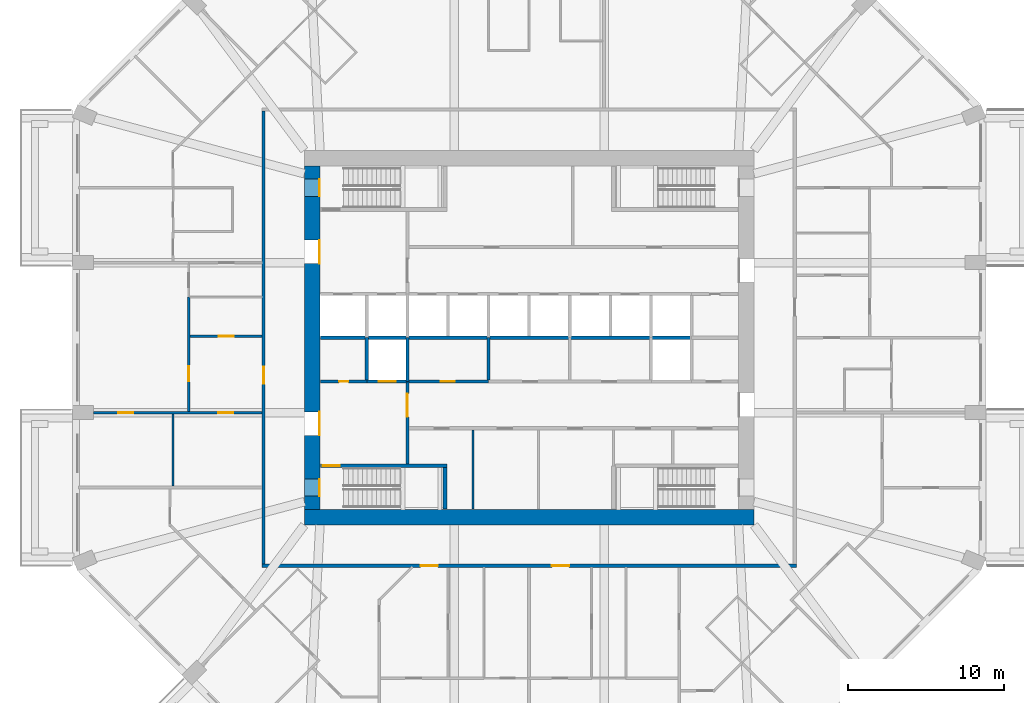
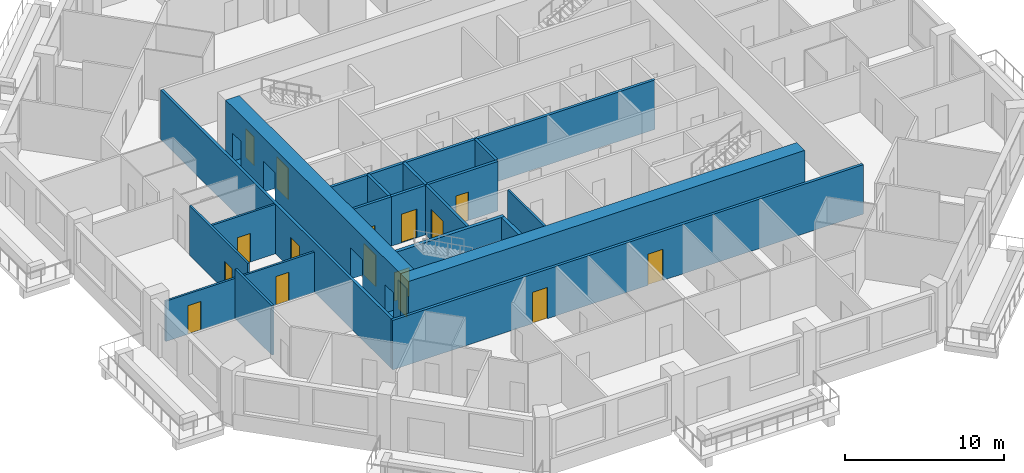
# One storey, part 4 of 13: 19 walls, 16 doors, 16 openings.
"""IFC4 building model written with IfcOpenShell, lengths in metres."""

from ifc_helpers import new_model, si_unit, direction, frame, frame_2d, origin, place, context, subcontext, project, spatial, rectangle, extrude, material, layer, layer_set, type_object, element, fill, save


model = new_model("IFC4")

# Units and contexts
model_context = context("Model", 3, precision=1e-05, world=origin(), true_north=direction((0.0, 1.0)))
body_context = subcontext(model_context, "Body", "Model", "MODEL_VIEW")
ifc_project = project(units=[si_unit("LENGTHUNIT", "METRE"), si_unit("AREAUNIT", "SQUARE_METRE"), si_unit("VOLUMEUNIT", "CUBIC_METRE"), si_unit("PLANEANGLEUNIT", "RADIAN"), si_unit("MASSUNIT", "GRAM", prefix="KILO")], contexts=[model_context])

# Site, building, storey
site_placement = place(None, origin())
site = spatial("IfcSite", under=ifc_project, at=site_placement, CompositionType="ELEMENT")
building_placement = place(site_placement, origin())
building = spatial("IfcBuilding", under=site, at=building_placement, Name="Msitu Wima Residences", CompositionType="ELEMENT")
storey_placement = place(building_placement, frame((0.0, 0.0, 96.89990234375)))
storey = spatial("IfcBuildingStorey", under=building, at=storey_placement, Name="L22", CompositionType="ELEMENT", Elevation=96.89990234375)

# Wall
ifc_material_1 = material(Name="Concrete C80/95", Category="concrete")
ifc_layer_1 = layer(ifc_material_1, 1.0)
ifc_layer_set_1 = layer_set([ifc_layer_1], Name="Concrete C80/95")
wall_type_1 = type_object("IfcWallType", Name="Core wall CW1000 C80/95", PredefinedType="SHEAR", material=ifc_layer_set_1)
wall_1_placement = place(storey_placement, frame((-14.39990234375, -11.5, 0.0), z_axis=(0.0, 0.0, 1.0), x_axis=(1.0, 0.0, 0.0)))
element("IfcWall", 1, at=wall_1_placement, inside=storey, type_object=wall_type_1, Name="Core wall", PredefinedType="SHEAR", context=body_context, shape_type="SweptSolid", body=[
    extrude(rectangle(XDim=28.7998046875, YDim=1.0, at=frame_2d((14.39990234375, 0.0))), origin(), (0.0, 0.0, 1.0), 4.2001953125),
])

# Wall, openings, doors
wall_2_placement = place(storey_placement, frame((-13.89990234375, -11.0, 0.0), z_axis=(0.0, 0.0, 1.0), x_axis=(0.0, 1.0, 0.0)))
wall_2 = element("IfcWall", 2, at=wall_2_placement, inside=storey, type_object=wall_type_1, Name="Core wall", PredefinedType="SHEAR", context=body_context, shape_type="SweptSolid", body=[
    extrude(rectangle(XDim=22.0, YDim=1.0, at=frame_2d((11.0, 0.0))), origin(), (0.0, 0.0, 1.0), 4.2001953125),
])
opening_1_placement = place(wall_2_placement, frame((20.050048828125, 0.0, 0.0)))
opening_1 = element("IfcOpeningElement", 3, at=opening_1_placement, cuts=wall_2, Name="Opening D22.034", PredefinedType="OPENING", context=body_context, shape_type="SweptSolid", body=[
    extrude(rectangle(XDim=1.10009765625, YDim=2.199951171875, at=frame_2d((0.550048828125, 1.10009765625))), frame((0.0, 0.510009765625, 0.0), z_axis=(0.0, -1.0, 0.0), x_axis=(1.0, 0.0, 0.0)), (0.0, 0.0, 1.0), 1.02001953125),
])
opening_2_placement = place(wall_2_placement, frame((0.85009765625, 0.0, 0.0)))
opening_2 = element("IfcOpeningElement", 4, at=opening_2_placement, cuts=wall_2, Name="Opening D22.036", PredefinedType="OPENING", context=body_context, shape_type="SweptSolid", body=[
    extrude(rectangle(XDim=1.10009765625, YDim=2.199951171875, at=frame_2d((0.550048828125, 1.10009765625))), frame((0.0, 0.510009765625, 0.0), z_axis=(0.0, -1.0, 0.0), x_axis=(1.0, 0.0, 0.0)), (0.0, 0.0, 1.0), 1.02001953125),
])
opening_3_placement = place(wall_2_placement, frame((15.75, 0.0, 0.0)))
opening_3 = element("IfcOpeningElement", 5, at=opening_3_placement, cuts=wall_2, Name="Opening D22.016", PredefinedType="OPENING", context=body_context, shape_type="SweptSolid", body=[
    extrude(rectangle(XDim=1.5, YDim=2.39990234375, at=frame_2d((0.75, 1.199951171875))), frame((0.0, 0.510009765625, 0.0), z_axis=(0.0, -1.0, 0.0), x_axis=(1.0, 0.0, 0.0)), (0.0, 0.0, 1.0), 1.02001953125),
])
opening_4_placement = place(wall_2_placement, frame((4.75, 0.0, 0.0)))
opening_4 = element("IfcOpeningElement", 6, at=opening_4_placement, cuts=wall_2, Name="Opening D22.018", PredefinedType="OPENING", context=body_context, shape_type="SweptSolid", body=[
    extrude(rectangle(XDim=1.5, YDim=2.39990234375, at=frame_2d((0.75, 1.199951171875))), frame((0.0, 0.510009765625, 0.0), z_axis=(0.0, -1.0, 0.0), x_axis=(1.0, 0.0, 0.0)), (0.0, 0.0, 1.0), 1.02001953125),
])
ifc_material_2 = material(Name="Steel framed glazed door, fire resisting", Category="steel")
door_type_1 = type_object("IfcDoorType", Name="Lobby door D07 1500x2400", OperationType="DOUBLE_DOOR_SINGLE_SWING", PredefinedType="DOOR", material=ifc_material_2)
door_1_placement = place(opening_3_placement, origin())
door_1 = element("IfcDoor", 7, at=door_1_placement, inside=storey, type_object=door_type_1, Name="Lobby door", OperationType="DOUBLE_DOOR_SINGLE_SWING", OverallHeight=2.39990234375, OverallWidth=1.5, PredefinedType="DOOR", context=body_context, shape_type="SweptSolid", body=[
    extrude(rectangle(XDim=1.5, YDim=2.39990234375, at=frame_2d((0.75, 1.199951171875))), frame((0.0, -0.44482421875, 0.0), z_axis=(0.0, -1.0, 0.0), x_axis=(1.0, 0.0, 0.0)), (0.0, 0.0, 1.0), 0.050048828125),
])
fill(opening_3, door_1)
door_2_placement = place(opening_4_placement, origin())
door_2 = element("IfcDoor", 8, at=door_2_placement, inside=storey, type_object=door_type_1, Name="Lobby door", OperationType="DOUBLE_DOOR_SINGLE_SWING", OverallHeight=2.39990234375, OverallWidth=1.5, PredefinedType="DOOR", context=body_context, shape_type="SweptSolid", body=[
    extrude(rectangle(XDim=1.5, YDim=2.39990234375, at=frame_2d((0.75, 1.199951171875))), frame((0.0, -0.44482421875, 0.0), z_axis=(0.0, -1.0, 0.0), x_axis=(1.0, 0.0, 0.0)), (0.0, 0.0, 1.0), 0.050048828125),
])
fill(opening_4, door_2)
ifc_material_3 = material(Name="Steel door, fire resisting, panic bar", Category="steel")
door_type_2 = type_object("IfcDoorType", Name="Stair door D06 1100x2200", OperationType="SINGLE_SWING_LEFT", PredefinedType="DOOR", material=ifc_material_3)
door_3_placement = place(opening_1_placement, origin())
door_3 = element("IfcDoor", 9, at=door_3_placement, inside=storey, type_object=door_type_2, Name="Stair door", OperationType="SINGLE_SWING_RIGHT", OverallHeight=2.199951171875, OverallWidth=1.10009765625, PredefinedType="DOOR", context=body_context, shape_type="SweptSolid", body=[
    extrude(rectangle(XDim=1.10009765625, YDim=2.199951171875, at=frame_2d((0.550048828125, 1.10009765625))), frame((0.0, -0.44482421875, 0.0), z_axis=(0.0, -1.0, 0.0), x_axis=(1.0, 0.0, 0.0)), (0.0, 0.0, 1.0), 0.050048828125),
])
fill(opening_1, door_3)
door_4_placement = place(opening_2_placement, origin())
door_4 = element("IfcDoor", 10, at=door_4_placement, inside=storey, type_object=door_type_2, Name="Stair door", OperationType="SINGLE_SWING_LEFT", OverallHeight=2.199951171875, OverallWidth=1.10009765625, PredefinedType="DOOR", context=body_context, shape_type="SweptSolid", body=[
    extrude(rectangle(XDim=1.10009765625, YDim=2.199951171875, at=frame_2d((0.550048828125, 1.10009765625))), frame((0.0, -0.44482421875, 0.0), z_axis=(0.0, -1.0, 0.0), x_axis=(1.0, 0.0, 0.0)), (0.0, 0.0, 1.0), 0.050048828125),
])
fill(opening_2, door_4)

# Wall, opening, door
ifc_material_4 = material(Name="Plaster")
ifc_layer_2 = layer(ifc_material_4, 0.011962890625, Name="Plaster")
ifc_material_5 = material(Name="Concrete blockwork", Category="masonry")
ifc_layer_3 = layer(ifc_material_5, 0.176025390625, Name="Concrete blockwork")
ifc_layer_4 = layer(ifc_material_4, 0.011962890625, Name="Plaster")
ifc_layer_set_2 = layer_set([ifc_layer_2, ifc_layer_3, ifc_layer_4], Name="Concrete blockwork")
wall_type_2 = type_object("IfcWallType", Name="Corridor wall FW200", PredefinedType="PARTITIONING", material=ifc_layer_set_2)
wall_3_placement = place(storey_placement, frame((-17.0, -14.5, 0.0), z_axis=(0.0, 0.0, 1.0), x_axis=(0.0, 1.0, 0.0)))
wall_3 = element("IfcWall", 11, at=wall_3_placement, inside=storey, type_object=wall_type_2, Name="Corridor wall", PredefinedType="PARTITIONING", context=body_context, shape_type="SweptSolid", body=[
    extrude(rectangle(XDim=29.0, YDim=0.199951171875, at=frame_2d((14.5, 0.0))), origin(), (0.0, 0.0, 1.0), 3.798095703125),
])
opening_5_placement = place(wall_3_placement, frame((11.550048828125, 0.0, 0.0)))
opening_5 = element("IfcOpeningElement", 12, at=opening_5_placement, cuts=wall_3, Name="Opening D22.012", PredefinedType="OPENING", context=body_context, shape_type="SweptSolid", body=[
    extrude(rectangle(XDim=1.10009765625, YDim=2.39990234375, at=frame_2d((0.550048828125, 1.199951171875))), frame((0.0, 0.10986328125, 0.0), z_axis=(0.0, -1.0, 0.0), x_axis=(1.0, 0.0, 0.0)), (0.0, 0.0, 1.0), 0.219970703125),
])
ifc_material_6 = material(Name="Timber flush door, fire resisting, self-closing", Category="wood")
door_type_3 = type_object("IfcDoorType", Name="Flat entrance door D01 1100x2400", OperationType="SINGLE_SWING_LEFT", PredefinedType="DOOR", material=ifc_material_6)
door_5_placement = place(opening_5_placement, origin())
door_5 = element("IfcDoor", 13, at=door_5_placement, inside=storey, type_object=door_type_3, Name="Flat entrance door", OperationType="SINGLE_SWING_LEFT", OverallHeight=2.39990234375, OverallWidth=1.10009765625, PredefinedType="DOOR", context=body_context, shape_type="SweptSolid", body=[
    extrude(rectangle(XDim=1.10009765625, YDim=2.39990234375, at=frame_2d((0.550048828125, 1.199951171875))), frame((0.0, 0.02490234375, 0.0), z_axis=(0.0, -1.0, 0.0), x_axis=(1.0, 0.0, 0.0)), (0.0, 0.0, 1.0), 0.050048828125),
])
fill(opening_5, door_5)

# Wall, openings, doors
wall_4_placement = place(storey_placement, frame((-17.10009765625, -14.60009765625, 0.0), z_axis=(0.0, 0.0, 1.0), x_axis=(1.0, 0.0, 0.0)))
wall_4 = element("IfcWall", 14, at=wall_4_placement, inside=storey, type_object=wall_type_2, Name="Corridor wall", PredefinedType="PARTITIONING", context=body_context, shape_type="SweptSolid", body=[
    extrude(rectangle(XDim=34.2001953125, YDim=0.199951171875, at=frame_2d((17.10009765625, 0.0))), origin(), (0.0, 0.0, 1.0), 3.798095703125),
])
opening_6_placement = place(wall_4_placement, frame((10.14990234375, 0.0, 0.0)))
opening_6 = element("IfcOpeningElement", 15, at=opening_6_placement, cuts=wall_4, Name="Opening D22.013", PredefinedType="OPENING", context=body_context, shape_type="SweptSolid", body=[
    extrude(rectangle(XDim=1.10009765625, YDim=2.39990234375, at=frame_2d((0.550048828125, 1.199951171875))), frame((0.0, 0.10986328125, 0.0), z_axis=(0.0, -1.0, 0.0), x_axis=(1.0, 0.0, 0.0)), (0.0, 0.0, 1.0), 0.219970703125),
])
opening_7_placement = place(wall_4_placement, frame((18.550048828125, 0.0, 0.0)))
opening_7 = element("IfcOpeningElement", 16, at=opening_7_placement, cuts=wall_4, Name="Opening D22.014", PredefinedType="OPENING", context=body_context, shape_type="SweptSolid", body=[
    extrude(rectangle(XDim=1.10009765625, YDim=2.39990234375, at=frame_2d((0.550048828125, 1.199951171875))), frame((0.0, 0.10986328125, 0.0), z_axis=(0.0, -1.0, 0.0), x_axis=(1.0, 0.0, 0.0)), (0.0, 0.0, 1.0), 0.219970703125),
])
door_6_placement = place(opening_6_placement, origin())
door_6 = element("IfcDoor", 17, at=door_6_placement, inside=storey, type_object=door_type_3, Name="Flat entrance door", OperationType="SINGLE_SWING_RIGHT", OverallHeight=2.39990234375, OverallWidth=1.10009765625, PredefinedType="DOOR", context=body_context, shape_type="SweptSolid", body=[
    extrude(rectangle(XDim=1.10009765625, YDim=2.39990234375, at=frame_2d((0.550048828125, 1.199951171875))), frame((0.0, 0.02490234375, 0.0), z_axis=(0.0, -1.0, 0.0), x_axis=(1.0, 0.0, 0.0)), (0.0, 0.0, 1.0), 0.050048828125),
])
fill(opening_6, door_6)
door_7_placement = place(opening_7_placement, origin())
door_7 = element("IfcDoor", 18, at=door_7_placement, inside=storey, type_object=door_type_3, Name="Flat entrance door", OperationType="SINGLE_SWING_RIGHT", OverallHeight=2.39990234375, OverallWidth=1.10009765625, PredefinedType="DOOR", context=body_context, shape_type="SweptSolid", body=[
    extrude(rectangle(XDim=1.10009765625, YDim=2.39990234375, at=frame_2d((0.550048828125, 1.199951171875))), frame((0.0, 0.02490234375, 0.0), z_axis=(0.0, -1.0, 0.0), x_axis=(1.0, 0.0, 0.0)), (0.0, 0.0, 1.0), 0.050048828125),
])
fill(opening_7, door_7)

# Wall, opening, door
wall_5_placement = place(storey_placement, frame((-7.800048828125, -8.074951171875, 0.0), z_axis=(0.0, 0.0, 1.0), x_axis=(0.0, 1.0, 0.0)))
wall_5 = element("IfcWall", 19, at=wall_5_placement, inside=storey, type_object=wall_type_2, Name="Corridor wall", PredefinedType="PARTITIONING", context=body_context, shape_type="SweptSolid", body=[
    extrude(rectangle(XDim=5.27490234375, YDim=0.199951171875, at=frame_2d((2.637451171875, 0.0))), origin(), (0.0, 0.0, 1.0), 3.798095703125),
])
opening_8_placement = place(wall_5_placement, frame((3.0, 0.0, 0.0)))
opening_8 = element("IfcOpeningElement", 20, at=opening_8_placement, cuts=wall_5, Name="Opening D22.019", PredefinedType="OPENING", context=body_context, shape_type="SweptSolid", body=[
    extrude(rectangle(XDim=1.5, YDim=2.39990234375, at=frame_2d((0.75, 1.199951171875))), frame((0.0, 0.10986328125, 0.0), z_axis=(0.0, -1.0, 0.0), x_axis=(1.0, 0.0, 0.0)), (0.0, 0.0, 1.0), 0.219970703125),
])
door_8_placement = place(opening_8_placement, origin())
door_8 = element("IfcDoor", 21, at=door_8_placement, inside=storey, type_object=door_type_1, Name="Lobby door", OperationType="DOUBLE_DOOR_SINGLE_SWING", OverallHeight=2.39990234375, OverallWidth=1.5, PredefinedType="DOOR", context=body_context, shape_type="SweptSolid", body=[
    extrude(rectangle(XDim=1.5, YDim=2.39990234375, at=frame_2d((0.75, 1.199951171875))), frame((0.0, 0.02490234375, 0.0), z_axis=(0.0, -1.0, 0.0), x_axis=(1.0, 0.0, 0.0)), (0.0, 0.0, 1.0), 0.050048828125),
])
fill(opening_8, door_8)

# Wall, openings, doors
ifc_layer_5 = layer(ifc_material_4, 0.011962890625, Name="Plaster")
ifc_layer_6 = layer(ifc_material_5, 0.1259765625, Name="Concrete blockwork")
ifc_layer_7 = layer(ifc_material_4, 0.011962890625, Name="Plaster")
ifc_layer_set_3 = layer_set([ifc_layer_5, ifc_layer_6, ifc_layer_7], Name="Concrete blockwork")
wall_type_3 = type_object("IfcWallType", Name="Partition PW150", PredefinedType="PARTITIONING", material=ifc_layer_set_3)
wall_6_placement = place(storey_placement, frame((-27.89990234375, -4.800048828125, 0.0), z_axis=(0.0, 0.0, 1.0), x_axis=(1.0, 0.0, 0.0)))
wall_6 = element("IfcWall", 22, at=wall_6_placement, inside=storey, type_object=wall_type_3, Name="Partition", PredefinedType="PARTITIONING", context=body_context, shape_type="SweptSolid", body=[
    extrude(rectangle(XDim=10.7998046875, YDim=0.14990234375, at=frame_2d((5.39990234375, 0.0))), origin(), (0.0, 0.0, 1.0), 3.10009765625),
])
opening_9_placement = place(wall_6_placement, frame((8.0, 0.0, 0.0)))
opening_9 = element("IfcOpeningElement", 23, at=opening_9_placement, cuts=wall_6, Name="Opening D22.046", PredefinedType="OPENING", context=body_context, shape_type="SweptSolid", body=[
    extrude(rectangle(XDim=0.949951171875, YDim=2.199951171875, at=frame_2d((0.47509765625, 1.10009765625))), frame((0.0, 0.0849609375, 0.0), z_axis=(0.0, -1.0, 0.0), x_axis=(1.0, 0.0, 0.0)), (0.0, 0.0, 1.0), 0.169921875),
])
opening_10_placement = place(wall_6_placement, frame((1.60009765625, 0.0, 0.0)))
opening_10 = element("IfcOpeningElement", 24, at=opening_10_placement, cuts=wall_6, Name="Opening D22.048", PredefinedType="OPENING", context=body_context, shape_type="SweptSolid", body=[
    extrude(rectangle(XDim=0.949951171875, YDim=2.199951171875, at=frame_2d((0.47509765625, 1.10009765625))), frame((0.0, 0.0849609375, 0.0), z_axis=(0.0, -1.0, 0.0), x_axis=(1.0, 0.0, 0.0)), (0.0, 0.0, 1.0), 0.169921875),
])
ifc_material_7 = material(Name="Timber flush door", Category="wood")
door_type_4 = type_object("IfcDoorType", Name="Room door D12 950x2200", OperationType="SINGLE_SWING_LEFT", PredefinedType="DOOR", material=ifc_material_7)
door_9_placement = place(opening_9_placement, origin())
door_9 = element("IfcDoor", 25, at=door_9_placement, inside=storey, type_object=door_type_4, Name="Room door", OperationType="SINGLE_SWING_LEFT", OverallHeight=2.199951171875, OverallWidth=0.949951171875, PredefinedType="DOOR", context=body_context, shape_type="SweptSolid", body=[
    extrude(rectangle(XDim=0.949951171875, YDim=2.199951171875, at=frame_2d((0.47509765625, 1.10009765625))), frame((0.0, 0.02490234375, 0.0), z_axis=(0.0, -1.0, 0.0), x_axis=(1.0, 0.0, 0.0)), (0.0, 0.0, 1.0), 0.050048828125),
])
fill(opening_9, door_9)
door_10_placement = place(opening_10_placement, origin())
door_10 = element("IfcDoor", 26, at=door_10_placement, inside=storey, type_object=door_type_4, Name="Room door", OperationType="SINGLE_SWING_LEFT", OverallHeight=2.199951171875, OverallWidth=0.949951171875, PredefinedType="DOOR", context=body_context, shape_type="SweptSolid", body=[
    extrude(rectangle(XDim=0.949951171875, YDim=2.199951171875, at=frame_2d((0.47509765625, 1.10009765625))), frame((0.0, 0.02490234375, 0.0), z_axis=(0.0, -1.0, 0.0), x_axis=(1.0, 0.0, 0.0)), (0.0, 0.0, 1.0), 0.050048828125),
])
fill(opening_10, door_10)

# Wall
wall_7_placement = place(storey_placement, frame((-22.800048828125, -9.5, 0.0), z_axis=(0.0, 0.0, 1.0), x_axis=(0.0, 1.0, 0.0)))
element("IfcWall", 27, at=wall_7_placement, inside=storey, type_object=wall_type_3, Name="Partition", PredefinedType="PARTITIONING", context=body_context, shape_type="SweptSolid", body=[
    extrude(rectangle(XDim=4.625, YDim=0.14990234375, at=frame_2d((2.3125, 0.0))), origin(), (0.0, 0.0, 1.0), 3.798095703125),
])

# Wall, opening, door
wall_8_placement = place(storey_placement, frame((-21.800048828125, -4.72509765625, 0.0), z_axis=(0.0, 0.0, 1.0), x_axis=(0.0, 1.0, 0.0)))
wall_8 = element("IfcWall", 28, at=wall_8_placement, inside=storey, type_object=wall_type_3, Name="Partition", PredefinedType="PARTITIONING", context=body_context, shape_type="SweptSolid", body=[
    extrude(rectangle(XDim=7.34521484375, YDim=0.14990234375, at=frame_2d((3.672607421875, 0.0))), origin(), (0.0, 0.0, 1.0), 3.798095703125),
])
opening_11_placement = place(wall_8_placement, frame((1.949951171875, 0.0, 0.0)))
opening_11 = element("IfcOpeningElement", 29, at=opening_11_placement, cuts=wall_8, Name="Opening D22.045", PredefinedType="OPENING", context=body_context, shape_type="SweptSolid", body=[
    extrude(rectangle(XDim=0.949951171875, YDim=2.199951171875, at=frame_2d((0.47509765625, 1.10009765625))), frame((0.0, 0.0849609375, 0.0), z_axis=(0.0, -1.0, 0.0), x_axis=(1.0, 0.0, 0.0)), (0.0, 0.0, 1.0), 0.169921875),
])
door_11_placement = place(opening_11_placement, origin())
door_11 = element("IfcDoor", 30, at=door_11_placement, inside=storey, type_object=door_type_4, Name="Room door", OperationType="SINGLE_SWING_LEFT", OverallHeight=2.199951171875, OverallWidth=0.949951171875, PredefinedType="DOOR", context=body_context, shape_type="SweptSolid", body=[
    extrude(rectangle(XDim=0.949951171875, YDim=2.199951171875, at=frame_2d((0.47509765625, 1.10009765625))), frame((0.0, 0.02490234375, 0.0), z_axis=(0.0, -1.0, 0.0), x_axis=(1.0, 0.0, 0.0)), (0.0, 0.0, 1.0), 0.050048828125),
])
fill(opening_11, door_11)

wall_9_placement = place(storey_placement, frame((-21.72509765625, 0.10009765625, 0.0), z_axis=(0.0, 0.0, 1.0), x_axis=(1.0, 0.0, 0.0)))
wall_9 = element("IfcWall", 31, at=wall_9_placement, inside=storey, type_object=wall_type_3, Name="Partition", PredefinedType="PARTITIONING", context=body_context, shape_type="SweptSolid", body=[
    extrude(rectangle(XDim=4.625, YDim=0.14990234375, at=frame_2d((2.3125, 0.0))), origin(), (0.0, 0.0, 1.0), 3.798095703125),
])
opening_12_placement = place(wall_9_placement, frame((1.85009765625, 0.0, 0.0)))
opening_12 = element("IfcOpeningElement", 32, at=opening_12_placement, cuts=wall_9, Name="Opening D22.047", PredefinedType="OPENING", context=body_context, shape_type="SweptSolid", body=[
    extrude(rectangle(XDim=0.949951171875, YDim=2.199951171875, at=frame_2d((0.47509765625, 1.10009765625))), frame((0.0, 0.0849609375, 0.0), z_axis=(0.0, -1.0, 0.0), x_axis=(1.0, 0.0, 0.0)), (0.0, 0.0, 1.0), 0.169921875),
])
door_12_placement = place(opening_12_placement, origin())
door_12 = element("IfcDoor", 33, at=door_12_placement, inside=storey, type_object=door_type_4, Name="Room door", OperationType="SINGLE_SWING_RIGHT", OverallHeight=2.199951171875, OverallWidth=0.949951171875, PredefinedType="DOOR", context=body_context, shape_type="SweptSolid", body=[
    extrude(rectangle(XDim=0.949951171875, YDim=2.199951171875, at=frame_2d((0.47509765625, 1.10009765625))), frame((0.0, 0.02490234375, 0.0), z_axis=(0.0, -1.0, 0.0), x_axis=(1.0, 0.0, 0.0)), (0.0, 0.0, 1.0), 0.050048828125),
])
fill(opening_12, door_12)

# Wall
wall_10_placement = place(storey_placement, frame((-3.60009765625, -10.969970703125, 0.0), z_axis=(0.0, 0.0, 1.0), x_axis=(0.0, 1.0, 0.0)))
element("IfcWall", 34, at=wall_10_placement, inside=storey, type_object=wall_type_3, Name="Partition", PredefinedType="PARTITIONING", context=body_context, shape_type="SweptSolid", body=[
    extrude(rectangle(XDim=5.070068359375, YDim=0.14990234375, at=frame_2d((2.53515625, 0.0))), origin(), (0.0, 0.0, 1.0), 3.798095703125),
])

# Wall, opening, door
ifc_layer_8 = layer(ifc_material_4, 0.011962890625, Name="Plaster")
ifc_material_8 = material(Name="Reinforced concrete blockwork", Category="masonry")
ifc_layer_9 = layer(ifc_material_8, 0.176025390625, Name="Reinforced concrete blockwork")
ifc_layer_10 = layer(ifc_material_4, 0.011962890625, Name="Plaster")
ifc_layer_set_4 = layer_set([ifc_layer_8, ifc_layer_9, ifc_layer_10], Name="Reinforced concrete blockwork")
wall_type_4 = type_object("IfcWallType", Name="Plant and riser wall PL200", PredefinedType="PARTITIONING", material=ifc_layer_set_4)
wall_11_placement = place(storey_placement, frame((-13.3701171875, -2.800048828125, 0.0), z_axis=(0.0, 0.0, 1.0), x_axis=(1.0, 0.0, 0.0)))
wall_11 = element("IfcWall", 35, at=wall_11_placement, inside=storey, type_object=wall_type_4, Name="Plant and riser wall", PredefinedType="PARTITIONING", context=body_context, shape_type="SweptSolid", body=[
    extrude(rectangle(XDim=2.990234375, YDim=0.199951171875, at=frame_2d((1.4951171875, 0.0))), origin(), (0.0, 0.0, 1.0), 3.798095703125),
])
opening_13_placement = place(wall_11_placement, frame((1.199951171875, 0.0, 0.0)))
opening_13 = element("IfcOpeningElement", 36, at=opening_13_placement, cuts=wall_11, Name="Opening D22.030", PredefinedType="OPENING", context=body_context, shape_type="SweptSolid", body=[
    extrude(rectangle(XDim=0.60009765625, YDim=2.0, at=frame_2d((0.300048828125, 1.0))), frame((0.0, 0.10986328125, 0.0), z_axis=(0.0, -1.0, 0.0), x_axis=(1.0, 0.0, 0.0)), (0.0, 0.0, 1.0), 0.219970703125),
])
ifc_material_9 = material(Name="Steel access door, fire resisting", Category="steel")
door_type_5 = type_object("IfcDoorType", Name="Riser access door D08 600x2000", OperationType="SINGLE_SWING_LEFT", PredefinedType="DOOR", material=ifc_material_9)
door_13_placement = place(opening_13_placement, origin())
door_13 = element("IfcDoor", 37, at=door_13_placement, inside=storey, type_object=door_type_5, Name="Riser access door", OperationType="SINGLE_SWING_RIGHT", OverallHeight=2.0, OverallWidth=0.60009765625, PredefinedType="DOOR", context=body_context, shape_type="SweptSolid", body=[
    extrude(rectangle(XDim=0.60009765625, YDim=2.0, at=frame_2d((0.300048828125, 1.0))), frame((0.0, 0.02490234375, 0.0), z_axis=(0.0, -1.0, 0.0), x_axis=(1.0, 0.0, 0.0)), (0.0, 0.0, 1.0), 0.050048828125),
])
fill(opening_13, door_13)

wall_12_placement = place(storey_placement, frame((-7.820068359375, -2.800048828125, 0.0), z_axis=(0.0, 0.0, 1.0), x_axis=(1.0, 0.0, 0.0)))
wall_12 = element("IfcWall", 38, at=wall_12_placement, inside=storey, type_object=wall_type_4, Name="Plant and riser wall", PredefinedType="PARTITIONING", context=body_context, shape_type="SweptSolid", body=[
    extrude(rectangle(XDim=5.199951171875, YDim=0.199951171875, at=frame_2d((2.60009765625, 0.0))), origin(), (0.0, 0.0, 1.0), 3.798095703125),
])
opening_14_placement = place(wall_12_placement, frame((2.14990234375, 0.0, 0.0)))
opening_14 = element("IfcOpeningElement", 39, at=opening_14_placement, cuts=wall_12, Name="Opening D22.031", PredefinedType="OPENING", context=body_context, shape_type="SweptSolid", body=[
    extrude(rectangle(XDim=0.89990234375, YDim=2.199951171875, at=frame_2d((0.449951171875, 1.10009765625))), frame((0.0, 0.10986328125, 0.0), z_axis=(0.0, -1.0, 0.0), x_axis=(1.0, 0.0, 0.0)), (0.0, 0.0, 1.0), 0.219970703125),
])
door_type_6 = type_object("IfcDoorType", Name="Service door D05 900x2200", OperationType="SINGLE_SWING_LEFT", PredefinedType="DOOR", material=ifc_material_7)
door_14_placement = place(opening_14_placement, origin())
door_14 = element("IfcDoor", 40, at=door_14_placement, inside=storey, type_object=door_type_6, Name="Service door", OperationType="SINGLE_SWING_LEFT", OverallHeight=2.199951171875, OverallWidth=0.89990234375, PredefinedType="DOOR", context=body_context, shape_type="SweptSolid", body=[
    extrude(rectangle(XDim=0.89990234375, YDim=2.199951171875, at=frame_2d((0.449951171875, 1.10009765625))), frame((0.0, 0.02490234375, 0.0), z_axis=(0.0, -1.0, 0.0), x_axis=(1.0, 0.0, 0.0)), (0.0, 0.0, 1.0), 0.050048828125),
])
fill(opening_14, door_14)

# Walls
wall_13_placement = place(storey_placement, frame((-2.60009765625, -2.699951171875, 0.0), z_axis=(0.0, 0.0, 1.0), x_axis=(0.0, 1.0, 0.0)))
element("IfcWall", 41, at=wall_13_placement, inside=storey, type_object=wall_type_4, Name="Plant and riser wall", PredefinedType="PARTITIONING", context=body_context, shape_type="SweptSolid", body=[
    extrude(rectangle(XDim=2.699951171875, YDim=0.199951171875, at=frame_2d((1.35009765625, 0.0))), origin(), (0.0, 0.0, 1.0), 3.798095703125),
])
ifc_material_10 = material(Name="Fire-rated board")
ifc_layer_11 = layer(ifc_material_10, 0.02490234375, Name="Fire-rated board")
ifc_material_11 = material(Name="Light-gauge stud framing with mineral wool")
ifc_layer_12 = layer(ifc_material_11, 0.14990234375, Name="Light-gauge stud framing with mineral wool")
ifc_layer_13 = layer(ifc_material_10, 0.02490234375, Name="Fire-rated board")
ifc_layer_set_5 = layer_set([ifc_layer_11, ifc_layer_12, ifc_layer_13], Name="Light-gauge stud framing with mineral wool")
wall_type_5 = type_object("IfcWallType", Name="Shaft wall SH200", PredefinedType="PARTITIONING", material=ifc_layer_set_5)
wall_14_placement = place(storey_placement, frame((-13.3701171875, 0.0, 0.0), z_axis=(0.0, 0.0, 1.0), x_axis=(1.0, 0.0, 0.0)))
element("IfcWall", 42, at=wall_14_placement, inside=storey, type_object=wall_type_5, Name="Shaft wall", PredefinedType="PARTITIONING", context=body_context, shape_type="SweptSolid", body=[
    extrude(rectangle(XDim=23.77001953125, YDim=0.199951171875, at=frame_2d((11.885009765625, 0.0))), origin(), (0.0, 0.0, 1.0), 3.798095703125),
])
wall_15_placement = place(storey_placement, frame((-10.39990234375, -2.699951171875, 0.0), z_axis=(0.0, 0.0, 1.0), x_axis=(0.0, 1.0, 0.0)))
element("IfcWall", 43, at=wall_15_placement, inside=storey, type_object=wall_type_5, Name="Shaft wall", PredefinedType="PARTITIONING", context=body_context, shape_type="SweptSolid", body=[
    extrude(rectangle(XDim=2.699951171875, YDim=0.199951171875, at=frame_2d((1.35009765625, 0.0))), origin(), (0.0, 0.0, 1.0), 3.798095703125),
])

# Wall, opening, door
wall_16_placement = place(storey_placement, frame((-10.3798828125, -2.800048828125, 0.0), z_axis=(0.0, 0.0, 1.0), x_axis=(1.0, 0.0, 0.0)))
wall_16 = element("IfcWall", 44, at=wall_16_placement, inside=storey, type_object=wall_type_5, Name="Shaft wall", PredefinedType="PARTITIONING", context=body_context, shape_type="SweptSolid", body=[
    extrude(rectangle(XDim=2.559814453125, YDim=0.199951171875, at=frame_2d((1.27978515625, 0.0))), origin(), (0.0, 0.0, 1.0), 3.798095703125),
])
opening_15_placement = place(wall_16_placement, frame((0.75, 0.0, 0.0)))
opening_15 = element("IfcOpeningElement", 45, at=opening_15_placement, cuts=wall_16, Name="Opening LD", PredefinedType="OPENING", context=body_context, shape_type="SweptSolid", body=[
    extrude(rectangle(XDim=1.10009765625, YDim=2.199951171875, at=frame_2d((0.550048828125, 1.10009765625))), frame((0.0, 0.10986328125, 0.0), z_axis=(0.0, -1.0, 0.0), x_axis=(1.0, 0.0, 0.0)), (0.0, 0.0, 1.0), 0.219970703125),
])
ifc_material_12 = material(Name="Stainless steel centre-opening landing door, rated", Category="steel")
door_type_7 = type_object("IfcDoorType", Name="Lift landing door LD 1100x2200", OperationType="DOUBLE_DOOR_SLIDING", PredefinedType="DOOR", material=ifc_material_12)
door_15_placement = place(opening_15_placement, origin())
door_15 = element("IfcDoor", 46, at=door_15_placement, inside=storey, type_object=door_type_7, Name="Lift landing door LD3", OperationType="DOUBLE_DOOR_SLIDING", OverallHeight=2.199951171875, OverallWidth=1.10009765625, PredefinedType="DOOR", context=body_context, shape_type="SweptSolid", body=[
    extrude(rectangle(XDim=1.10009765625, YDim=2.199951171875, at=frame_2d((0.550048828125, 1.10009765625))), frame((0.0, 0.02490234375, 0.0), z_axis=(0.0, -1.0, 0.0), x_axis=(1.0, 0.0, 0.0)), (0.0, 0.0, 1.0), 0.050048828125),
])
fill(opening_15, door_15)

# Wall
wall_17_placement = place(storey_placement, frame((-7.800048828125, -2.800048828125, 0.0), z_axis=(0.0, 0.0, 1.0), x_axis=(0.0, 1.0, 0.0)))
element("IfcWall", 47, at=wall_17_placement, inside=storey, type_object=wall_type_5, Name="Shaft wall", PredefinedType="PARTITIONING", context=body_context, shape_type="SweptSolid", body=[
    extrude(rectangle(XDim=2.800048828125, YDim=0.199951171875, at=frame_2d((1.39990234375, 0.0))), origin(), (0.0, 0.0, 1.0), 3.798095703125),
])

# Wall, opening, door
ifc_material_13 = material(Name="Concrete C50/60", Category="concrete")
ifc_layer_14 = layer(ifc_material_13, 0.25)
ifc_layer_set_6 = layer_set([ifc_layer_14], Name="Concrete C50/60")
wall_type_6 = type_object("IfcWallType", Name="Stair enclosure wall SW250", PredefinedType="SHEAR", material=ifc_layer_set_6)
wall_18_placement = place(storey_placement, frame((-13.3701171875, -8.199951171875, 0.0), z_axis=(0.0, 0.0, 1.0), x_axis=(1.0, 0.0, 0.0)))
wall_18 = element("IfcWall", 48, at=wall_18_placement, inside=storey, type_object=wall_type_6, Name="Stair enclosure wall", PredefinedType="SHEAR", context=body_context, shape_type="SweptSolid", body=[
    extrude(rectangle(XDim=8.09521484375, YDim=0.25, at=frame_2d((4.047607421875, 0.0))), origin(), (0.0, 0.0, 1.0), 3.798095703125),
])
opening_16_placement = place(wall_18_placement, frame((0.14990234375, 0.0, 0.0)))
opening_16 = element("IfcOpeningElement", 49, at=opening_16_placement, cuts=wall_18, Name="Opening D22.037", PredefinedType="OPENING", context=body_context, shape_type="SweptSolid", body=[
    extrude(rectangle(XDim=1.10009765625, YDim=2.199951171875, at=frame_2d((0.550048828125, 1.10009765625))), frame((0.0, 0.135009765625, 0.0), z_axis=(0.0, -1.0, 0.0), x_axis=(1.0, 0.0, 0.0)), (0.0, 0.0, 1.0), 0.27001953125),
])
door_16_placement = place(opening_16_placement, origin())
door_16 = element("IfcDoor", 50, at=door_16_placement, inside=storey, type_object=door_type_2, Name="Stair door", OperationType="SINGLE_SWING_RIGHT", OverallHeight=2.199951171875, OverallWidth=1.10009765625, PredefinedType="DOOR", context=body_context, shape_type="SweptSolid", body=[
    extrude(rectangle(XDim=1.10009765625, YDim=2.199951171875, at=frame_2d((0.550048828125, 1.10009765625))), frame((0.0, 0.02490234375, 0.0), z_axis=(0.0, -1.0, 0.0), x_axis=(1.0, 0.0, 0.0)), (0.0, 0.0, 1.0), 0.050048828125),
])
fill(opening_16, door_16)

# Wall
wall_19_placement = place(storey_placement, frame((-5.39990234375, -10.969970703125, 0.0), z_axis=(0.0, 0.0, 1.0), x_axis=(0.0, 1.0, 0.0)))
element("IfcWall", 51, at=wall_19_placement, inside=storey, type_object=wall_type_6, Name="Stair enclosure wall", PredefinedType="SHEAR", context=body_context, shape_type="SweptSolid", body=[
    extrude(rectangle(XDim=2.64501953125, YDim=0.25, at=frame_2d((1.322509765625, 0.0))), origin(), (0.0, 0.0, 1.0), 3.798095703125),
])

save(model, "model.ifc")
